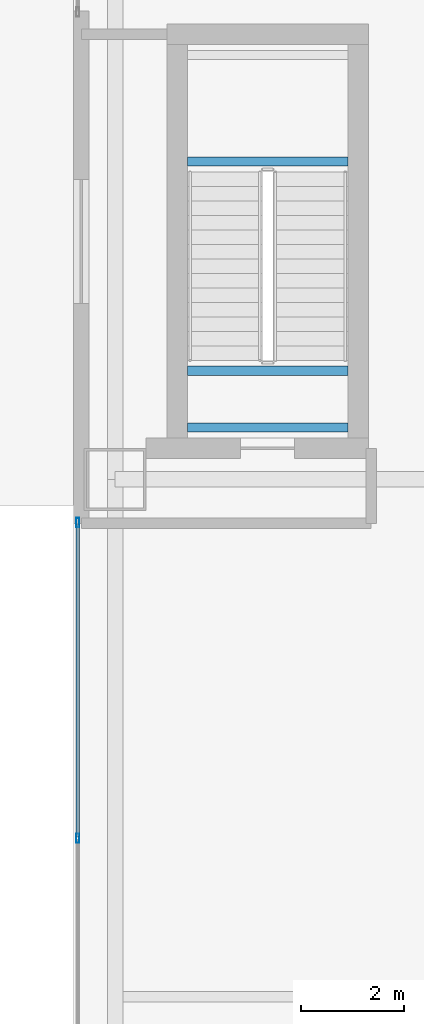
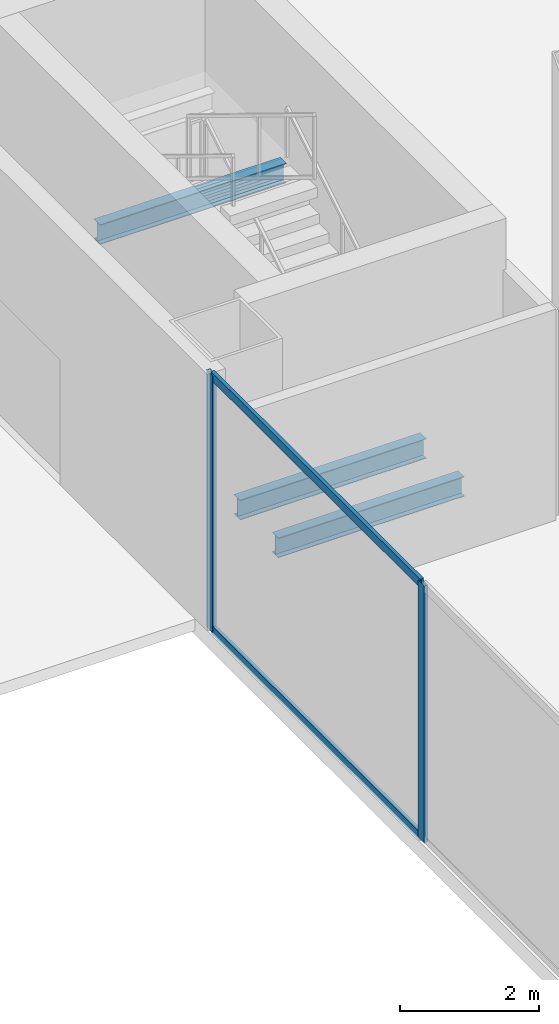
# One storey, part 10 of 58: 4 members, 3 beams, 1 element without a shape of its own.
"""IFC4 building model written with IfcOpenShell, lengths in metres."""

import ifcopenshell
import ifcopenshell.guid

model = None  # the IFC model being written
_history = None  # IfcOwnerHistory: only IFC2X3 demands one
_inside = {}  # id of a spatial element -> (the spatial element, [elements in it])
_under = {}  # id of a project, library or spatial element -> (it, [spatial elements below it])
_declared = {}  # id of a project -> (the project, [libraries it declares])
_typed = {}  # id of a type object -> (the type object, [elements of that type])
_made_of = {}  # id of a material, layer set ... -> (it, [elements and type objects made of it])


def new_model(schema):
    """Start an empty IFC model of exactly this schema.

    Asked for "IFC4X3", IfcOpenShell would pick the latest addendum, in which some entities
    have other attributes; the version numbers below select the first issue.
    IFC2X3 requires an IfcOwnerHistory on every rooted entity: one is made here for all.
    """
    global model, _history
    if schema == "IFC4X3":
        model = ifcopenshell.file(schema_version=(4, 3, 0, 0))
    else:
        model = ifcopenshell.file(schema=schema)
    _inside.clear()
    _under.clear()
    _declared.clear()
    _typed.clear()
    _made_of.clear()
    _history = None
    if model.schema == "IFC2X3":
        org = make("IfcOrganization", Name="unknown")
        user = make(
            "IfcPersonAndOrganization",
            ThePerson=make("IfcPerson", FamilyName="unknown"),
            TheOrganization=org,
        )
        app = make(
            "IfcApplication",
            ApplicationDeveloper=org,
            Version="unknown",
            ApplicationFullName="unknown",
            ApplicationIdentifier="unknown",
        )
        _history = make(
            "IfcOwnerHistory",
            OwningUser=user,
            OwningApplication=app,
            ChangeAction="ADDED",
            CreationDate=0,
        )
    return model


def make(cls, **values):
    """One entity of the class cls with the attributes given. An attribute that is None is left unset."""
    return model.create_entity(
        cls, **{name: value for name, value in values.items() if value is not None}
    )


def rooted(cls, **values):
    """An entity with a GlobalId (a new one), such as an element, a storey or a relation."""
    return make(cls, GlobalId=ifcopenshell.guid.new(), OwnerHistory=_history, **values)


def si_unit(unit_type, name, prefix=None):
    """IfcSIUnit, for example si_unit("LENGTHUNIT", "METRE", prefix="MILLI")."""
    return make("IfcSIUnit", UnitType=unit_type, Prefix=prefix, Name=name)


def assignment(units):
    """IfcUnitAssignment: the units of a project."""
    return None if units is None else make("IfcUnitAssignment", Units=units)


def point(xyz):
    """IfcCartesianPoint."""
    return None if xyz is None else make("IfcCartesianPoint", Coordinates=xyz)


def direction(xyz):
    """IfcDirection."""
    return None if xyz is None else make("IfcDirection", DirectionRatios=xyz)


def frame(location, z_axis=None, x_axis=None):
    """IfcAxis2Placement3D, a coordinate frame: its origin and axes. An axis left out is left unset."""
    return make(
        "IfcAxis2Placement3D",
        Location=point(location),
        Axis=direction(z_axis),
        RefDirection=direction(x_axis),
    )


def frame_2d(location, x_axis=None):
    """IfcAxis2Placement2D, a coordinate frame in the plane: its origin and x axis."""
    return make(
        "IfcAxis2Placement2D", Location=point(location), RefDirection=direction(x_axis)
    )


def origin():
    """The frame at (0, 0, 0) with its axes left unset."""
    return frame((0.0, 0.0, 0.0))


def origin_2d():
    """The frame at (0, 0) in the plane with its x axis left unset."""
    return frame_2d((0.0, 0.0))


def place(relative_to, where):
    """IfcLocalPlacement: puts the frame where relative to a parent placement (None: the world)."""
    return make(
        "IfcLocalPlacement", PlacementRelTo=relative_to, RelativePlacement=where
    )


def context(
    kind, dimensions, precision=None, world=None, true_north=None, identifier=None
):
    """IfcGeometricRepresentationContext, for example the 3D "Model" context."""
    return make(
        "IfcGeometricRepresentationContext",
        ContextIdentifier=identifier,
        ContextType=kind,
        CoordinateSpaceDimension=dimensions,
        Precision=precision,
        WorldCoordinateSystem=world,
        TrueNorth=true_north,
    )


def subcontext(parent, identifier, kind, view, scale=None):
    """IfcGeometricRepresentationSubContext, for example "Body" below "Model"."""
    return make(
        "IfcGeometricRepresentationSubContext",
        ContextIdentifier=identifier,
        ContextType=kind,
        ParentContext=parent,
        TargetScale=scale,
        TargetView=view,
    )


def project(units=None, contexts=None):
    """IfcProject with its units and contexts."""
    return rooted(
        "IfcProject",
        Name="project",
        RepresentationContexts=contexts,
        UnitsInContext=assignment(units),
    )


def spatial(cls, under=None, at=None, **own):
    """A site, building, storey or space (cls), placed at a placement, below another one or the project."""
    s = rooted(cls, ObjectPlacement=at, **own)
    if under is not None:
        _under.setdefault(under.id(), (under, []))[1].append(s)
    return s


def profile(cls, at=None, kind="AREA", **sizes):
    """A parametric profile (cls). Its sizes go by their IFC names, for example OverallWidth=200.0."""
    return make(cls, ProfileType=kind, Position=at, **sizes)


def hollow_rectangle(**sizes):
    """IfcRectangleHollowProfileDef."""
    return profile("IfcRectangleHollowProfileDef", **sizes)


def i_section(**sizes):
    """IfcIShapeProfileDef."""
    return profile("IfcIShapeProfileDef", **sizes)


def extrude(swept, where, along, depth):
    """IfcExtrudedAreaSolid: the profile swept, set in the frame where, extruded along a direction by depth."""
    return make(
        "IfcExtrudedAreaSolid",
        SweptArea=swept,
        Position=where,
        ExtrudedDirection=direction(along),
        Depth=depth,
    )


def shape(context_of_items, identifier, shape_type, items):
    """IfcShapeRepresentation: the items that make up one representation, for example the "Body"."""
    return make(
        "IfcShapeRepresentation",
        ContextOfItems=context_of_items,
        RepresentationIdentifier=identifier,
        RepresentationType=shape_type,
        Items=items,
    )


def source(mapping_origin, context_of_items, identifier, shape_type, items):
    """IfcRepresentationMap: a shape defined once, which mapped items show again and again."""
    return make(
        "IfcRepresentationMap",
        MappingOrigin=mapping_origin,
        MappedRepresentation=shape(context_of_items, identifier, shape_type, items),
    )


def transform(
    local_origin,
    x_axis=None,
    y_axis=None,
    z_axis=None,
    scale=None,
    scale2=None,
    scale3=None,
    uniform=True,
):
    """IfcCartesianTransformationOperator3D, or its non-uniform kind. x_axis, y_axis, z_axis: its Axis1, 2, 3."""
    if uniform:
        return make(
            "IfcCartesianTransformationOperator3D",
            Axis1=direction(x_axis),
            Axis2=direction(y_axis),
            LocalOrigin=point(local_origin),
            Scale=scale,
            Axis3=direction(z_axis),
        )
    return make(
        "IfcCartesianTransformationOperator3DnonUniform",
        Axis1=direction(x_axis),
        Axis2=direction(y_axis),
        LocalOrigin=point(local_origin),
        Scale=scale,
        Axis3=direction(z_axis),
        Scale2=scale2,
        Scale3=scale3,
    )


def mapped(mapping_source, mapping_target):
    """IfcMappedItem: shows the shape of a source again, moved by a transform."""
    return make(
        "IfcMappedItem", MappingSource=mapping_source, MappingTarget=mapping_target
    )


def material(Name=None, Category=None):
    """IfcMaterial."""
    return make("IfcMaterial", Name=Name, Category=Category)


def layer(
    of_material, thickness, ventilated=None, Name=None, Category=None, Priority=None
):
    """IfcMaterialLayer: one layer of a wall or slab, of a material (None: an air gap)."""
    return make(
        "IfcMaterialLayer",
        Material=of_material,
        LayerThickness=thickness,
        IsVentilated=ventilated,
        Name=Name,
        Category=Category,
        Priority=Priority,
    )


def layer_set(layers, Name=None):
    """IfcMaterialLayerSet."""
    return make("IfcMaterialLayerSet", MaterialLayers=layers, LayerSetName=Name)


def material_profile(
    of_material, cross_section, Name=None, Category=None, Priority=None
):
    """IfcMaterialProfile: a cross section and its material."""
    return make(
        "IfcMaterialProfile",
        Name=Name,
        Material=of_material,
        Profile=cross_section,
        Priority=Priority,
        Category=Category,
    )


def profile_set(profiles, Name=None, composite=None):
    """IfcMaterialProfileSet."""
    return make(
        "IfcMaterialProfileSet",
        Name=Name,
        MaterialProfiles=profiles,
        CompositeProfile=composite,
    )


def made_of(thing, what):
    """Note that an element or type object is made of a material, layer set ...; save() writes the relation."""
    if what is not None:
        _made_of.setdefault(what.id(), (what, []))[1].append(thing)
    return thing


def type_object(cls, material=None, **own):
    """A type object (cls), such as IfcWallType, which elements share."""
    return made_of(rooted(cls, **own), material)


def element(
    cls,
    number,
    at=None,
    inside=None,
    cuts=None,
    type_object=None,
    material=None,
    context=None,
    identifier="Body",
    shape_type=None,
    held_by="IfcProductDefinitionShape",
    body=None,
    shapes=None,
    **own,
):
    """One element of the class cls, such as IfcWall. Its Tag is "e" and its number.

    at: its placement. inside: the storey or other place that contains it. cuts: it is an
    opening in that element (IfcRelVoidsElement). A single representation is given by context,
    identifier, shape_type and body (its items); several are given by shapes. held_by: the class
    of the entity that holds the representations. save() writes the other relations.
    """
    e = rooted(cls, Tag="e%d" % number, ObjectPlacement=at, **own)
    if body is not None:
        shapes = [shape(context, identifier, shape_type, body)]
    if shapes is not None:
        e.Representation = make(held_by, Representations=shapes)
    if inside is not None:
        _inside.setdefault(inside.id(), (inside, []))[1].append(e)
    if cuts is not None:
        rooted(
            "IfcRelVoidsElement", RelatingBuildingElement=cuts, RelatedOpeningElement=e
        )
    if type_object is not None:
        _typed.setdefault(type_object.id(), (type_object, []))[1].append(e)
    return made_of(e, material)


def aggregate(whole, parts):
    """IfcRelAggregates: a whole, such as a stair, and the parts it consists of."""
    return rooted("IfcRelAggregates", RelatingObject=whole, RelatedObjects=parts)


def save(model, path):
    """Write the relations noted so far, then the file.

    IfcRelAggregates (storeys below a building ...), IfcRelContainedInSpatialStructure (elements
    in a storey), IfcRelDefinesByType, IfcRelAssociatesMaterial and IfcRelDeclares: one each for
    every whole, place, type object, material and project.
    """
    for whole, parts in _under.values():
        aggregate(whole, parts)
    for where, things in _inside.values():
        rooted(
            "IfcRelContainedInSpatialStructure",
            RelatedElements=things,
            RelatingStructure=where,
        )
    for kind, things in _typed.values():
        rooted("IfcRelDefinesByType", RelatedObjects=things, RelatingType=kind)
    for what, things in _made_of.values():
        rooted("IfcRelAssociatesMaterial", RelatedObjects=things, RelatingMaterial=what)
    for by, libraries in _declared.values():
        rooted("IfcRelDeclares", RelatingContext=by, RelatedDefinitions=libraries)
    model.write(path)


model = new_model("IFC4")

# Units and contexts
model_context = context("Model", 3, precision=1e-05, world=origin(), true_north=direction((0.0, 1.0)))
body_context = subcontext(model_context, "Body", "Model", "MODEL_VIEW")
ifc_project = project(units=[si_unit("LENGTHUNIT", "METRE"), si_unit("AREAUNIT", "SQUARE_METRE"), si_unit("VOLUMEUNIT", "CUBIC_METRE"), si_unit("PLANEANGLEUNIT", "RADIAN"), si_unit("MASSUNIT", "GRAM", prefix="KILO"), si_unit("THERMODYNAMICTEMPERATUREUNIT", "KELVIN"), si_unit("POWERUNIT", "WATT")], contexts=[model_context])

# Site, building, storey
site_placement = place(None, origin())
site = spatial("IfcSite", under=ifc_project, at=site_placement, CompositionType="ELEMENT")
building_placement = place(site_placement, origin())
building = spatial("IfcBuilding", under=site, at=building_placement, Name="Yunzhuo Pagoda Commons", CompositionType="ELEMENT")
storey_placement = place(building_placement, origin())
storey = spatial("IfcBuildingStorey", under=building, at=storey_placement, Name="L01", CompositionType="ELEMENT", Elevation=0.0)

# Beams
ifc_material_1 = material(Name="Structural steel Q355B", Category="steel")
ifc_material_profile_1 = material_profile(ifc_material_1, i_section(OverallWidth=0.175048828125, OverallDepth=0.35009765625, WebThickness=0.007080078125, FlangeThickness=0.010986328125, at=origin_2d()), Name="Structural steel Q355B")
ifc_profile_set_1 = profile_set([ifc_material_profile_1], Name="Structural steel Q355B")
beam_type = type_object("IfcBeamType", Name="B-JS2 Joist HN 350x175x7x11", PredefinedType="JOIST", material=ifc_profile_set_1)
shared_shape_1 = source(origin(), body_context, "Body", "SweptSolid", [
    extrude(i_section(OverallWidth=0.175048828125, OverallDepth=0.35009765625, WebThickness=0.007080078125, FlangeThickness=0.010986328125, at=origin_2d()), origin(), (0.0, 0.0, 1.0), 3.10009765625),
])
for number, where, z_axis, x_axis, name in (
    (1, (6.199951171875, 48.139892578125, 2.02490234375), (1.0, 0.0, 0.0), (0.0, 1.0, 0.0), "L01 PS3 landing support beam 3A"),
    (2, (6.199951171875, 43.0, -0.375), (1.0, 0.0, 0.0), (0.0, 1.0, 0.0), "L01 PS3 landing support beam 11A"),
    (3, (6.199951171875, 44.10009765625, -0.375), (1.0, 0.0, 0.0), (0.0, 1.0, 0.0), "L01 PS3 landing support beam 11B"),
):
    element("IfcBeam", number, at=place(storey_placement, frame(where, z_axis=z_axis, x_axis=x_axis)), inside=storey, type_object=beam_type, Name=name, PredefinedType="JOIST", context=body_context, shape_type="MappedRepresentation", body=[
        mapped(shared_shape_1, transform((0.0, 0.0, 0.0), scale=1.0)),
    ])

# Curtain wall, members
ifc_material_2 = material(Name="Anodized aluminium 6063-T6", Category="aluminium")
ifc_layer = layer(ifc_material_2, 0.179931640625)
ifc_layer_set = layer_set([ifc_layer], Name="Anodized aluminium 6063-T6")
curtain_wall_type = type_object("IfcCurtainWallType", Name="CW-POD Waterfront Podium Curtain Wall", PredefinedType="NOTDEFINED", material=ifc_layer_set)
curtain_wall_placement = place(storey_placement, origin())
curtain_wall = element("IfcCurtainWall", 4, at=curtain_wall_placement, inside=storey, type_object=curtain_wall_type, Name="L01 curtain wall CW-L01-W2", PredefinedType="NOTDEFINED")
ifc_material_profile_2 = material_profile(ifc_material_2, hollow_rectangle(XDim=0.06494140625, YDim=0.179931640625, WallThickness=0.00390625, at=origin_2d()), Name="Anodized aluminium 6063-T6")
ifc_profile_set_2 = profile_set([ifc_material_profile_2], Name="Anodized aluminium 6063-T6")
member_type_1 = type_object("IfcMemberType", Name="CW-POD-M Mullion RHS 180x65x4", PredefinedType="MULLION", material=ifc_profile_set_2)
shared_shape_2 = source(origin(), body_context, "Body", "SweptSolid", [
    extrude(hollow_rectangle(XDim=0.06494140625, YDim=0.179931640625, WallThickness=0.00390625, at=origin_2d()), origin(), (0.0, 0.0, 1.0), 4.520263671875),
])
member_1_placement = place(storey_placement, frame((4.080078125, 35.066650390625, 0.0), z_axis=(0.0, 0.0, 1.0), x_axis=(-1.0, 0.0, 0.0)))
member_1 = element("IfcMember", 5, at=member_1_placement, type_object=member_type_1, Name="CW mullion 3", PredefinedType="MULLION", context=body_context, shape_type="MappedRepresentation", body=[
    mapped(shared_shape_2, transform((0.0, 0.0, 0.0), scale=1.0)),
])
member_2_placement = place(storey_placement, frame((4.080078125, 41.167724609375, 0.0), z_axis=(0.0, 0.0, 1.0), x_axis=(-1.0, 0.0, 0.0)))
member_2 = element("IfcMember", 6, at=member_2_placement, type_object=member_type_1, Name="CW mullion 4", PredefinedType="MULLION", context=body_context, shape_type="MappedRepresentation", body=[
    mapped(shared_shape_2, transform((0.0, 0.0, 0.0), scale=1.0)),
])
ifc_material_profile_3 = material_profile(ifc_material_2, hollow_rectangle(XDim=0.06005859375, YDim=0.14990234375, WallThickness=0.00390625, at=origin_2d()), Name="Anodized aluminium 6063-T6")
ifc_profile_set_3 = profile_set([ifc_material_profile_3], Name="Anodized aluminium 6063-T6")
member_type_2 = type_object("IfcMemberType", Name="CW-POD-T Transom RHS 150x60x4", PredefinedType="USERDEFINED", material=ifc_profile_set_3)
shared_shape_3 = source(origin(), body_context, "Body", "SweptSolid", [
    extrude(hollow_rectangle(XDim=0.06005859375, YDim=0.14990234375, WallThickness=0.00390625, at=origin_2d()), origin(), (0.0, 0.0, 1.0), 6.035888671875),
])
member_3_placement = place(storey_placement, frame((4.080078125, 35.09912109375, 0.030029296875), z_axis=(0.0, 1.0, 0.0), x_axis=(-1.0, 0.0, 0.0)))
member_3 = element("IfcMember", 7, at=member_3_placement, type_object=member_type_2, Name="CW transom 3.1", ObjectType="TRANSOM", PredefinedType="USERDEFINED", context=body_context, shape_type="MappedRepresentation", body=[
    mapped(shared_shape_3, transform((0.0, 0.0, 0.0), scale=1.0)),
])
member_4_placement = place(storey_placement, frame((4.080078125, 35.09912109375, 4.489990234375), z_axis=(0.0, 1.0, 0.0), x_axis=(-1.0, 0.0, 0.0)))
member_4 = element("IfcMember", 8, at=member_4_placement, type_object=member_type_2, Name="CW transom 3.2", ObjectType="TRANSOM", PredefinedType="USERDEFINED", context=body_context, shape_type="MappedRepresentation", body=[
    mapped(shared_shape_3, transform((0.0, 0.0, 0.0), scale=1.0)),
])
aggregate(curtain_wall, [member_1, member_2, member_3, member_4])

save(model, "model.ifc")
